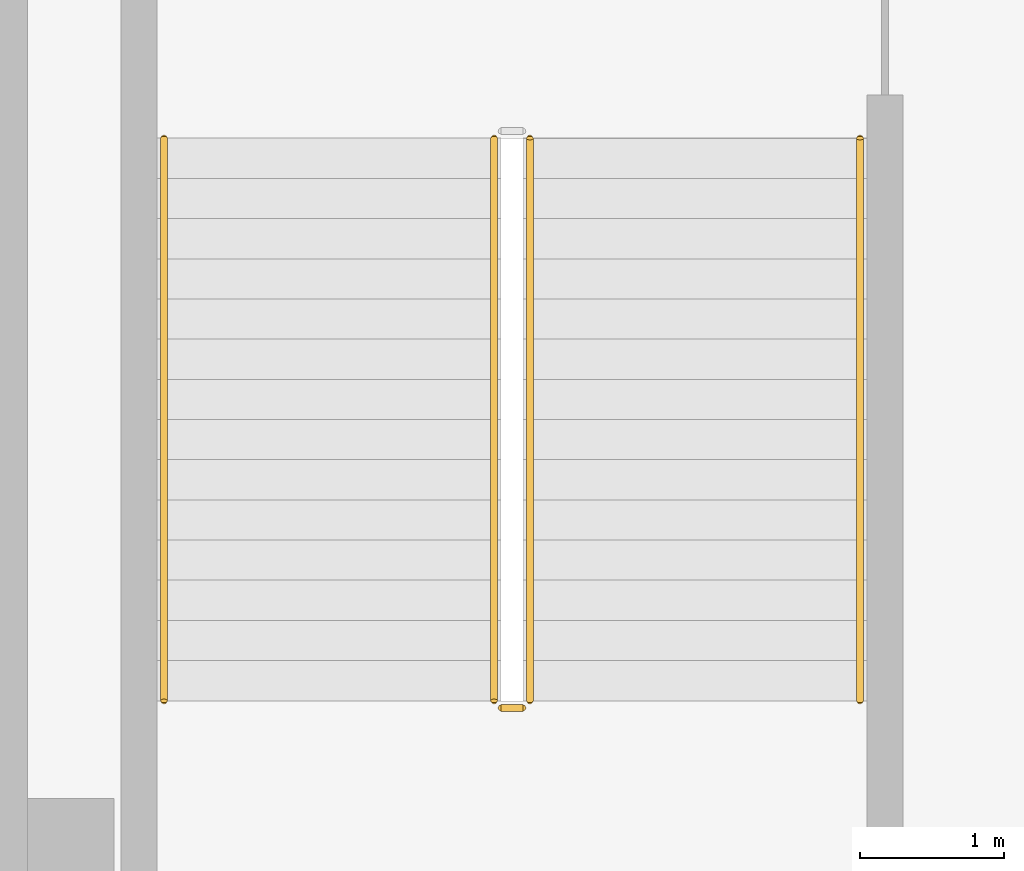
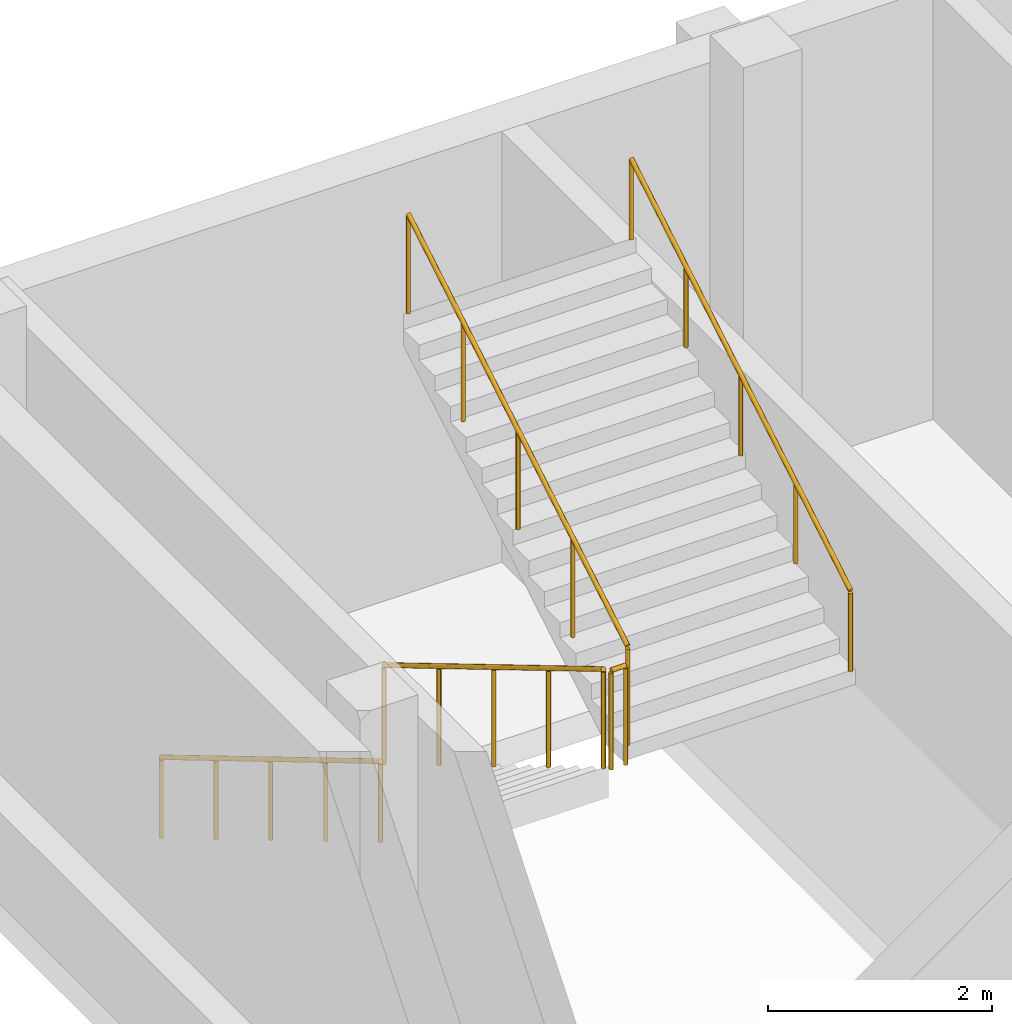
# One storey, part 29 of 32: 5 railings.
"""IFC4 building model written with IfcOpenShell, lengths in metres."""

from ifc_helpers import new_model, si_unit, direction, frame, origin, origin_2d, place, context, subcontext, project, spatial, circle, extrude, material, type_object, element, save


model = new_model("IFC4")

# Units and contexts
model_context = context("Model", 3, precision=1e-05, world=origin(), true_north=direction((0.0, 1.0)))
body_context = subcontext(model_context, "Body", "Model", "MODEL_VIEW")
ifc_project = project(units=[si_unit("LENGTHUNIT", "METRE"), si_unit("AREAUNIT", "SQUARE_METRE"), si_unit("VOLUMEUNIT", "CUBIC_METRE"), si_unit("PLANEANGLEUNIT", "RADIAN"), si_unit("MASSUNIT", "GRAM", prefix="KILO")], contexts=[model_context])

# Site, building, storey
site_placement = place(None, origin())
site = spatial("IfcSite", under=ifc_project, at=site_placement, CompositionType="ELEMENT")
building_placement = place(site_placement, origin())
building = spatial("IfcBuilding", under=site, at=building_placement, Name="Tamorin Gate", CompositionType="ELEMENT")
storey_placement = place(building_placement, frame((0.0, 0.0, 13.5)))
storey = spatial("IfcBuildingStorey", under=building, at=storey_placement, Name="L02", CompositionType="ELEMENT", Elevation=13.5)

# Railings
ifc_material = material(Name="Steel, galvanised", Category="steel")
railing_type_1 = type_object("IfcRailingType", Name="Steel guard 1100 museum", PredefinedType="GUARDRAIL", material=ifc_material)
railing_1_placement = place(storey_placement, frame((148.64990234375, 95.60009765625, 0.166748046875)))
element("IfcRailing", 1, at=railing_1_placement, inside=storey, type_object=railing_type_1, Name="L02 PS6 stair guard 1", PredefinedType="GUARDRAIL", context=body_context, shape_type="SweptSolid", body=[
    extrude(circle(Radius=0.02392578125, at=origin_2d()), frame((0.0, 0.0, 1.076171875), z_axis=(0.0, -0.859310244771, 0.511454693235), x_axis=(1.0, 0.0, 0.0)), (0.0, 0.0, 1.0), 4.56201171875),
    extrude(circle(Radius=0.02099609375, at=origin_2d()), origin(), (0.0, 0.0, 1.0), 1.052001953125),
    extrude(circle(Radius=0.02099609375, at=origin_2d()), frame((0.0, -0.97998046875, 0.583251953125)), (0.0, 0.0, 1.0), 1.052001953125),
    extrude(circle(Radius=0.02099609375, at=origin_2d()), frame((0.0, -1.9599609375, 1.16650390625)), (0.0, 0.0, 1.0), 1.052001953125),
    extrude(circle(Radius=0.02099609375, at=origin_2d()), frame((0.0, -2.940185546875, 1.75)), (0.0, 0.0, 1.0), 1.052001953125),
    extrude(circle(Radius=0.02099609375, at=origin_2d()), frame((0.0, -3.920166015625, 2.333251953125)), (0.0, 0.0, 1.0), 1.052001953125),
])
railing_2_placement = place(storey_placement, frame((148.699951171875, 91.6298828125, 2.5)))
element("IfcRailing", 2, at=railing_2_placement, inside=storey, type_object=railing_type_1, Name="L02 PS6 stair guard 2", PredefinedType="GUARDRAIL", context=body_context, shape_type="SweptSolid", body=[
    extrude(circle(Radius=0.02392578125, at=origin_2d()), frame((0.0, 0.0, 1.076171875), z_axis=(1.0, 0.0, 0.0), x_axis=(0.0, 1.0, 0.0)), (0.0, 0.0, 1.0), 0.150146484375),
    extrude(circle(Radius=0.02099609375, at=origin_2d()), origin(), (0.0, 0.0, 1.0), 1.052001953125),
    extrude(circle(Radius=0.02099609375, at=origin_2d()), frame((0.150146484375, 0.0, 0.0)), (0.0, 0.0, 1.0), 1.052001953125),
])
railing_3_placement = place(storey_placement, frame((148.89990234375, 91.679931640625, 2.666748046875)))
element("IfcRailing", 3, at=railing_3_placement, inside=storey, type_object=railing_type_1, Name="L02 PS6 stair guard 3", PredefinedType="GUARDRAIL", context=body_context, shape_type="SweptSolid", body=[
    extrude(circle(Radius=0.02392578125, at=origin_2d()), frame((0.0, 0.0, 1.076171875), z_axis=(0.0, 0.859310244771, 0.511454693235), x_axis=(-1.0, 0.0, 0.0)), (0.0, 0.0, 1.0), 4.56201171875),
    extrude(circle(Radius=0.02099609375, at=origin_2d()), origin(), (0.0, 0.0, 1.0), 1.052001953125),
    extrude(circle(Radius=0.02099609375, at=origin_2d()), frame((0.0, 0.97998046875, 0.583251953125)), (0.0, 0.0, 1.0), 1.052001953125),
    extrude(circle(Radius=0.02099609375, at=origin_2d()), frame((0.0, 1.9599609375, 1.16650390625)), (0.0, 0.0, 1.0), 1.052001953125),
    extrude(circle(Radius=0.02099609375, at=origin_2d()), frame((0.0, 2.940185546875, 1.75)), (0.0, 0.0, 1.0), 1.052001953125),
    extrude(circle(Radius=0.02099609375, at=origin_2d()), frame((0.0, 3.920166015625, 2.333251953125)), (0.0, 0.0, 1.0), 1.052001953125),
])
railing_type_2 = type_object("IfcRailingType", Name="Steel handrail 900 museum", PredefinedType="HANDRAIL", material=ifc_material)
railing_4_placement = place(storey_placement, frame((146.35009765625, 95.60009765625, 0.166748046875)))
element("IfcRailing", 4, at=railing_4_placement, inside=storey, type_object=railing_type_2, Name="L02 PS6 stair handrail 1", PredefinedType="HANDRAIL", context=body_context, shape_type="SweptSolid", body=[
    extrude(circle(Radius=0.02392578125, at=origin_2d()), frame((0.0, 0.0, 0.8759765625), z_axis=(0.0, -0.859310244771, 0.511454693235), x_axis=(1.0, 0.0, 0.0)), (0.0, 0.0, 1.0), 4.56201171875),
    extrude(circle(Radius=0.02099609375, at=origin_2d()), origin(), (0.0, 0.0, 1.0), 0.851806640625),
    extrude(circle(Radius=0.02099609375, at=origin_2d()), frame((0.0, -0.97998046875, 0.583251953125)), (0.0, 0.0, 1.0), 0.851806640625),
    extrude(circle(Radius=0.02099609375, at=origin_2d()), frame((0.0, -1.9599609375, 1.16650390625)), (0.0, 0.0, 1.0), 0.851806640625),
    extrude(circle(Radius=0.02099609375, at=origin_2d()), frame((0.0, -2.940185546875, 1.75)), (0.0, 0.0, 1.0), 0.851806640625),
    extrude(circle(Radius=0.02099609375, at=origin_2d()), frame((0.0, -3.920166015625, 2.333251953125)), (0.0, 0.0, 1.0), 0.851806640625),
])
railing_5_placement = place(storey_placement, frame((151.199951171875, 91.679931640625, 2.666748046875)))
element("IfcRailing", 5, at=railing_5_placement, inside=storey, type_object=railing_type_2, Name="L02 PS6 stair handrail 2", PredefinedType="HANDRAIL", context=body_context, shape_type="SweptSolid", body=[
    extrude(circle(Radius=0.02392578125, at=origin_2d()), frame((0.0, 0.0, 0.8759765625), z_axis=(0.0, 0.859310244771, 0.511454693235), x_axis=(-1.0, 0.0, 0.0)), (0.0, 0.0, 1.0), 4.56201171875),
    extrude(circle(Radius=0.02099609375, at=origin_2d()), origin(), (0.0, 0.0, 1.0), 0.851806640625),
    extrude(circle(Radius=0.02099609375, at=origin_2d()), frame((0.0, 0.97998046875, 0.583251953125)), (0.0, 0.0, 1.0), 0.851806640625),
    extrude(circle(Radius=0.02099609375, at=origin_2d()), frame((0.0, 1.9599609375, 1.16650390625)), (0.0, 0.0, 1.0), 0.851806640625),
    extrude(circle(Radius=0.02099609375, at=origin_2d()), frame((0.0, 2.940185546875, 1.75)), (0.0, 0.0, 1.0), 0.851806640625),
    extrude(circle(Radius=0.02099609375, at=origin_2d()), frame((0.0, 3.920166015625, 2.333251953125)), (0.0, 0.0, 1.0), 0.851806640625),
])

save(model, "model.ifc")
